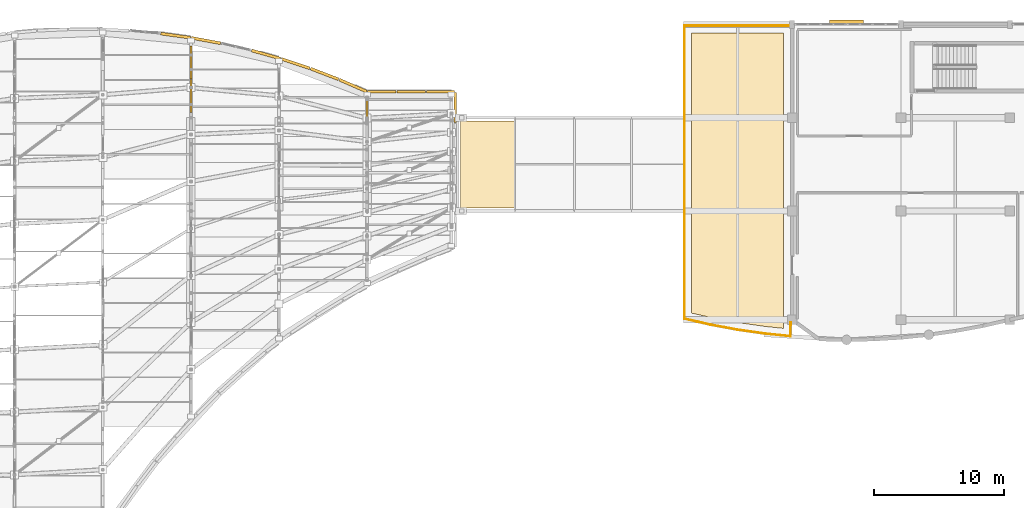
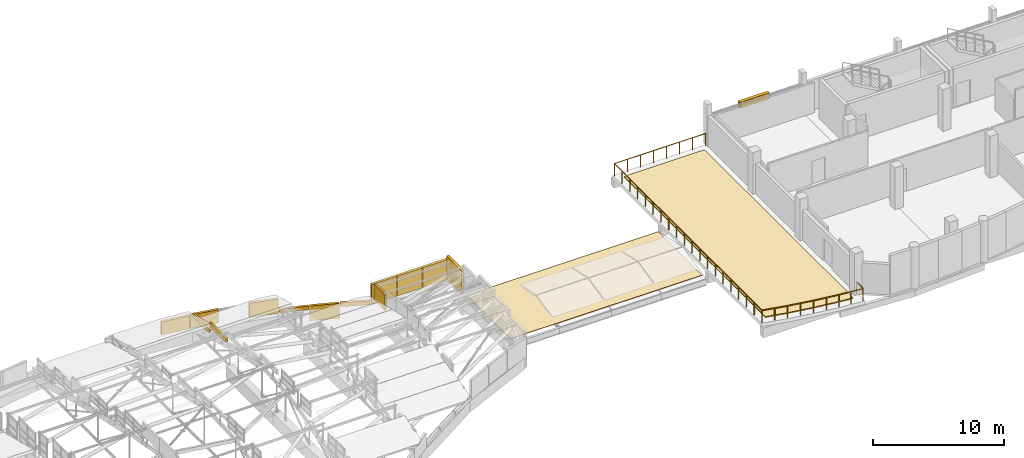
# One storey, part 184 of 188: 15 coverings, 2 railings, 1 shading device.
"""IFC4 building model written with IfcOpenShell, lengths in metres."""

from ifc_helpers import new_model, si_unit, direction, frame, origin, origin_2d, place, context, subcontext, project, spatial, polyline, rectangle, circle, outline, extrude, material, layer, layer_set, type_object, element, save


model = new_model("IFC4")

# Units and contexts
model_context = context("Model", 3, precision=1e-05, world=origin(), true_north=direction((0.0, 1.0)))
body_context = subcontext(model_context, "Body", "Model", "MODEL_VIEW")
ifc_project = project(units=[si_unit("LENGTHUNIT", "METRE"), si_unit("AREAUNIT", "SQUARE_METRE"), si_unit("VOLUMEUNIT", "CUBIC_METRE"), si_unit("PLANEANGLEUNIT", "RADIAN"), si_unit("MASSUNIT", "GRAM", prefix="KILO")], contexts=[model_context])

# Site, building, storey
site_placement = place(None, origin())
site = spatial("IfcSite", under=ifc_project, at=site_placement, CompositionType="ELEMENT")
building_placement = place(site_placement, origin())
building = spatial("IfcBuilding", under=site, at=building_placement, Name="Kisaragi Civic Commons", CompositionType="ELEMENT")
storey_placement = place(building_placement, frame((0.0, 0.0, 9.60009765625)))
storey = spatial("IfcBuildingStorey", under=building, at=storey_placement, Name="L02", CompositionType="ELEMENT", Elevation=9.60009765625)

# Coverings
ifc_material_1 = material(Name="Extruded Tokoname terracotta rainscreen tile", Category="masonry")
ifc_layer_1 = layer(ifc_material_1, 0.0400390625, Name="Extruded Tokoname terracotta rainscreen tile", Category="masonry")
ifc_layer_set_1 = layer_set([ifc_layer_1], Name="Extruded Tokoname terracotta rainscreen tile")
covering_type_1 = type_object("IfcCoveringType", Name="CLD-01", PredefinedType="CLADDING", material=ifc_layer_set_1)
covering_1_placement = place(storey_placement, frame((34.0, 113.285888671875, 1.80810546875), z_axis=(0.0, 0.0, 1.0), x_axis=(0.0, 1.0, 0.0)))
element("IfcCovering", 1, at=covering_1_placement, inside=storey, type_object=covering_type_1, Name="V2 L02 wave-step terracotta tympanum cladding 161", PredefinedType="CLADDING", context=body_context, shape_type="SweptSolid", body=[
    extrude(rectangle(XDim=2.544189453125, YDim=0.159912109375, at=origin_2d()), origin(), (0.0, 0.0, 1.0), 0.351806640625),
])
covering_2_placement = place(storey_placement, frame((34.0, 115.854248046875, 1.112548828125), z_axis=(0.0, 0.0, 1.0), x_axis=(0.0, 1.0, 0.0)))
element("IfcCovering", 2, at=covering_2_placement, inside=storey, type_object=covering_type_1, Name="V2 L02 wave-step terracotta tympanum cladding 162", PredefinedType="CLADDING", context=body_context, shape_type="SweptSolid", body=[
    extrude(rectangle(XDim=2.544189453125, YDim=0.159912109375, at=origin_2d()), origin(), (0.0, 0.0, 1.0), 0.36962890625),
])
covering_3_placement = place(storey_placement, frame((47.60009765625, 112.112060546875, 0.51708984375), z_axis=(0.0, 0.0, 1.0), x_axis=(0.0, 1.0, 0.0)))
element("IfcCovering", 3, at=covering_3_placement, inside=storey, type_object=covering_type_1, Name="V2 L02 wave-step terracotta tympanum cladding 170", PredefinedType="CLADDING", context=body_context, shape_type="SweptSolid", body=[
    extrude(rectangle(XDim=1.692138671875, YDim=0.159912109375, at=origin_2d()), origin(), (0.0, 0.0, 1.0), 1.436279296875),
])
covering_4_placement = place(storey_placement, frame((32.814208984375, 117.933837890625, -0.32421875), z_axis=(0.0, 0.0, 1.0), x_axis=(0.990605176244, -0.136753006543, 0.0)))
element("IfcCovering", 4, at=covering_4_placement, inside=storey, type_object=covering_type_1, Name="V2 L02 curved terracotta gable cladding 193", PredefinedType="CLADDING", context=body_context, shape_type="SweptSolid", body=[
    extrude(rectangle(XDim=2.29931640625, YDim=0.219970703125, at=origin_2d()), origin(), (0.0, 0.0, 1.0), 1.2216796875),
])
covering_5_placement = place(storey_placement, frame((35.16259765625, 117.5546875, -0.323974609375), z_axis=(0.0, 0.0, 1.0), x_axis=(0.983286698687, -0.182063912362, 0.0)))
element("IfcCovering", 5, at=covering_5_placement, inside=storey, type_object=covering_type_1, Name="V2 L02 curved terracotta gable cladding 194", PredefinedType="CLADDING", context=body_context, shape_type="SweptSolid", body=[
    extrude(rectangle(XDim=2.29931640625, YDim=0.219970703125, at=origin_2d()), origin(), (0.0, 0.0, 1.0), 1.236328125),
])
covering_6_placement = place(storey_placement, frame((39.794677734375, 116.475830078125, -0.32421875), z_axis=(0.0, 0.0, 1.0), x_axis=(0.962549928407, -0.271104473079, 0.0)))
element("IfcCovering", 6, at=covering_6_placement, inside=storey, type_object=covering_type_1, Name="V2 L02 curved terracotta gable cladding 195", PredefinedType="CLADDING", context=body_context, shape_type="SweptSolid", body=[
    extrude(rectangle(XDim=2.29931640625, YDim=0.219970703125, at=origin_2d()), origin(), (0.0, 0.0, 1.0), 1.31640625),
])
covering_7_placement = place(storey_placement, frame((42.06884765625, 115.77880859375, -0.32421875), z_axis=(0.0, 0.0, 1.0), x_axis=(0.949151106053, -0.314820866332, 0.0)))
element("IfcCovering", 7, at=covering_7_placement, inside=storey, type_object=covering_type_1, Name="V2 L02 curved terracotta gable cladding 196", PredefinedType="CLADDING", context=body_context, shape_type="SweptSolid", body=[
    extrude(rectangle(XDim=2.29931640625, YDim=0.219970703125, at=origin_2d()), origin(), (0.0, 0.0, 1.0), 0.321044921875),
])
covering_8_placement = place(storey_placement, frame((44.308837890625, 114.978271484375, -1.399169921875), z_axis=(0.0, 0.0, 1.0), x_axis=(0.933705463631, -0.358042046673, 0.0)))
element("IfcCovering", 8, at=covering_8_placement, inside=storey, type_object=covering_type_1, Name="V2 L02 curved terracotta gable cladding 197", PredefinedType="CLADDING", context=body_context, shape_type="SweptSolid", body=[
    extrude(rectangle(XDim=2.29931640625, YDim=0.219970703125, at=origin_2d()), origin(), (0.0, 0.0, 1.0), 1.39599609375),
])
covering_9_placement = place(storey_placement, frame((46.509765625, 114.076171875, -0.32421875), z_axis=(0.0, 0.0, 1.0), x_axis=(0.916362729562, -0.400349032557, 0.0)))
element("IfcCovering", 9, at=covering_9_placement, inside=storey, type_object=covering_type_1, Name="V2 L02 curved terracotta gable cladding 198", PredefinedType="CLADDING", context=body_context, shape_type="SweptSolid", body=[
    extrude(rectangle(XDim=2.29931640625, YDim=0.219970703125, at=origin_2d()), origin(), (0.0, 0.0, 1.0), 0.349853515625),
])
covering_10_placement = place(storey_placement, frame((48.7333984375, 113.60009765625, -0.32421875), z_axis=(0.0, 0.0, 1.0), x_axis=(1.0, 0.0, 0.0)))
element("IfcCovering", 10, at=covering_10_placement, inside=storey, type_object=covering_type_1, Name="V2 L02 curved terracotta gable cladding 199", PredefinedType="CLADDING", context=body_context, shape_type="SweptSolid", body=[
    extrude(rectangle(XDim=2.186767578125, YDim=0.219970703125, at=origin_2d()), origin(), (0.0, 0.0, 1.0), 1.85888671875),
])
covering_11_placement = place(storey_placement, frame((51.0, 113.60009765625, -0.32421875), z_axis=(0.0, 0.0, 1.0), x_axis=(1.0, 0.0, 0.0)))
element("IfcCovering", 11, at=covering_11_placement, inside=storey, type_object=covering_type_1, Name="V2 L02 curved terracotta gable cladding 200", PredefinedType="CLADDING", context=body_context, shape_type="SweptSolid", body=[
    extrude(rectangle(XDim=2.1865234375, YDim=0.219970703125, at=origin_2d()), origin(), (0.0, 0.0, 1.0), 1.85888671875),
])
covering_12_placement = place(storey_placement, frame((53.2666015625, 113.60009765625, -0.32421875), z_axis=(0.0, 0.0, 1.0), x_axis=(1.0, 0.0, 0.0)))
element("IfcCovering", 12, at=covering_12_placement, inside=storey, type_object=covering_type_1, Name="V2 L02 curved terracotta gable cladding 201", PredefinedType="CLADDING", context=body_context, shape_type="SweptSolid", body=[
    extrude(rectangle(XDim=2.186767578125, YDim=0.219970703125, at=origin_2d()), origin(), (0.0, 0.0, 1.0), 1.85888671875),
])
covering_13_placement = place(storey_placement, frame((54.39990234375, 112.39990234375, -0.32421875), z_axis=(0.0, 0.0, 1.0), x_axis=(0.0, -1.0, 0.0)))
element("IfcCovering", 13, at=covering_13_placement, inside=storey, type_object=covering_type_1, Name="V2 L02 curved terracotta gable cladding 202", PredefinedType="CLADDING", context=body_context, shape_type="SweptSolid", body=[
    extrude(rectangle(XDim=2.320068359375, YDim=0.219970703125, at=origin_2d()), origin(), (0.0, 0.0, 1.0), 2.191650390625),
])

# Railings
ifc_material_2 = material(Name="Hot-dip galvanized and fluoropolymer-coated steel", Category="steel")
railing_type = type_object("IfcRailingType", Name="GRD-E1", PredefinedType="GUARDRAIL", material=ifc_material_2)
railing_1_placement = place(storey_placement, frame((72.10009765625, 96.07958984375, 0.0)))
element("IfcRailing", 14, at=railing_1_placement, inside=storey, type_object=railing_type, Name="V4 L02 terrace guardrail 8", PredefinedType="GUARDRAIL", context=body_context, shape_type="SweptSolid", body=[
    extrude(circle(Radius=0.02392578125, at=origin_2d()), frame((0.0, 0.0, 1.1259765625), z_axis=(0.0, 1.0, 0.0), x_axis=(-1.0, 0.0, 0.0)), (0.0, 0.0, 1.0), 22.620361328125),
    extrude(circle(Radius=0.02392578125, at=origin_2d()), frame((0.0, 22.620361328125, 1.1259765625), z_axis=(1.0, 0.0, 0.0), x_axis=(0.0, 1.0, 0.0)), (0.0, 0.0, 1.0), 8.079833984375),
    extrude(circle(Radius=0.02099609375, at=origin_2d()), origin(), (0.0, 0.0, 1.0), 1.101806640625),
    extrude(circle(Radius=0.02099609375, at=origin_2d()), frame((0.0, 1.1904296875, 0.0)), (0.0, 0.0, 1.0), 1.101806640625),
    extrude(circle(Radius=0.02099609375, at=origin_2d()), frame((0.0, 2.381103515625, 0.0)), (0.0, 0.0, 1.0), 1.101806640625),
    extrude(circle(Radius=0.02099609375, at=origin_2d()), frame((0.0, 3.571533203125, 0.0)), (0.0, 0.0, 1.0), 1.101806640625),
    extrude(circle(Radius=0.02099609375, at=origin_2d()), frame((0.0, 4.76220703125, 0.0)), (0.0, 0.0, 1.0), 1.101806640625),
    extrude(circle(Radius=0.02099609375, at=origin_2d()), frame((0.0, 5.95263671875, 0.0)), (0.0, 0.0, 1.0), 1.101806640625),
    extrude(circle(Radius=0.02099609375, at=origin_2d()), frame((0.0, 7.143310546875, 0.0)), (0.0, 0.0, 1.0), 1.101806640625),
    extrude(circle(Radius=0.02099609375, at=origin_2d()), frame((0.0, 8.333740234375, 0.0)), (0.0, 0.0, 1.0), 1.101806640625),
    extrude(circle(Radius=0.02099609375, at=origin_2d()), frame((0.0, 9.5244140625, 0.0)), (0.0, 0.0, 1.0), 1.101806640625),
    extrude(circle(Radius=0.02099609375, at=origin_2d()), frame((0.0, 10.71484375, 0.0)), (0.0, 0.0, 1.0), 1.101806640625),
    extrude(circle(Radius=0.02099609375, at=origin_2d()), frame((0.0, 11.905517578125, 0.0)), (0.0, 0.0, 1.0), 1.101806640625),
    extrude(circle(Radius=0.02099609375, at=origin_2d()), frame((0.0, 13.095947265625, 0.0)), (0.0, 0.0, 1.0), 1.101806640625),
    extrude(circle(Radius=0.02099609375, at=origin_2d()), frame((0.0, 14.28662109375, 0.0)), (0.0, 0.0, 1.0), 1.101806640625),
    extrude(circle(Radius=0.02099609375, at=origin_2d()), frame((0.0, 15.47705078125, 0.0)), (0.0, 0.0, 1.0), 1.101806640625),
    extrude(circle(Radius=0.02099609375, at=origin_2d()), frame((0.0, 16.667724609375, 0.0)), (0.0, 0.0, 1.0), 1.101806640625),
    extrude(circle(Radius=0.02099609375, at=origin_2d()), frame((0.0, 17.858154296875, 0.0)), (0.0, 0.0, 1.0), 1.101806640625),
    extrude(circle(Radius=0.02099609375, at=origin_2d()), frame((0.0, 19.048828125, 0.0)), (0.0, 0.0, 1.0), 1.101806640625),
    extrude(circle(Radius=0.02099609375, at=origin_2d()), frame((0.0, 20.2392578125, 0.0)), (0.0, 0.0, 1.0), 1.101806640625),
    extrude(circle(Radius=0.02099609375, at=origin_2d()), frame((0.0, 21.429931640625, 0.0)), (0.0, 0.0, 1.0), 1.101806640625),
    extrude(circle(Radius=0.02099609375, at=origin_2d()), frame((0.0, 22.620361328125, 0.0)), (0.0, 0.0, 1.0), 1.101806640625),
    extrude(circle(Radius=0.02099609375, at=origin_2d()), frame((1.154296875, 22.620361328125, 0.0)), (0.0, 0.0, 1.0), 1.101806640625),
    extrude(circle(Radius=0.02099609375, at=origin_2d()), frame((2.30859375, 22.620361328125, 0.0)), (0.0, 0.0, 1.0), 1.101806640625),
    extrude(circle(Radius=0.02099609375, at=origin_2d()), frame((3.462890625, 22.620361328125, 0.0)), (0.0, 0.0, 1.0), 1.101806640625),
    extrude(circle(Radius=0.02099609375, at=origin_2d()), frame((4.616943359375, 22.620361328125, 0.0)), (0.0, 0.0, 1.0), 1.101806640625),
    extrude(circle(Radius=0.02099609375, at=origin_2d()), frame((5.771240234375, 22.620361328125, 0.0)), (0.0, 0.0, 1.0), 1.101806640625),
    extrude(circle(Radius=0.02099609375, at=origin_2d()), frame((6.925537109375, 22.620361328125, 0.0)), (0.0, 0.0, 1.0), 1.101806640625),
    extrude(circle(Radius=0.02099609375, at=origin_2d()), frame((8.079833984375, 22.620361328125, 0.0)), (0.0, 0.0, 1.0), 1.101806640625),
])
railing_2_placement = place(storey_placement, frame((80.294677734375, 95.8046875, 0.0)))
element("IfcRailing", 15, at=railing_2_placement, inside=storey, type_object=railing_type, Name="V4 L02 terrace guardrail 9", PredefinedType="GUARDRAIL", context=body_context, shape_type="SweptSolid", body=[
    extrude(circle(Radius=0.02392578125, at=origin_2d()), frame((0.0, 0.0, 1.1259765625), z_axis=(-0.027349546681, -0.999625931184, 0.0), x_axis=(0.999625931184, -0.027349546681, 0.0)), (0.0, 0.0, 1.0), 1.0712890625),
    extrude(circle(Radius=0.02392578125, at=origin_2d()), frame((-0.029296875, -1.07080078125, 1.1259765625), z_axis=(-0.994812353058, 0.101726998397, 0.0), x_axis=(-0.101726998397, -0.994812353058, 0.0)), (0.0, 0.0, 1.0), 2.01123046875),
    extrude(circle(Radius=0.02392578125, at=origin_2d()), frame((-2.030029296875, -0.8662109375, 1.1259765625), z_axis=(-0.989822239462, 0.142309290865, 0.0), x_axis=(-0.142309290865, -0.989822239462, 0.0)), (0.0, 0.0, 1.0), 2.116943359375),
    extrude(circle(Radius=0.02392578125, at=origin_2d()), frame((-4.12548828125, -0.56494140625, 1.1259765625), z_axis=(-0.98321002825, 0.182477506416, 0.0), x_axis=(-0.182477506416, -0.98321002825, 0.0)), (0.0, 0.0, 1.0), 2.11669921875),
    extrude(circle(Radius=0.02392578125, at=origin_2d()), frame((-6.20654296875, -0.1787109375, 1.1259765625), z_axis=(-0.974943146534, 0.222454177362, 0.0), x_axis=(-0.222454177362, -0.974943146534, 0.0)), (0.0, 0.0, 1.0), 2.0390625),
    extrude(circle(Radius=0.02099609375, at=origin_2d()), origin(), (0.0, 0.0, 1.0), 1.101806640625),
    extrude(circle(Radius=0.02099609375, at=origin_2d()), frame((-0.029296875, -1.07080078125, 0.0)), (0.0, 0.0, 1.0), 1.101806640625),
    extrude(circle(Radius=0.02099609375, at=origin_2d()), frame((-1.02978515625, -0.968505859375, 0.0)), (0.0, 0.0, 1.0), 1.101806640625),
    extrude(circle(Radius=0.02099609375, at=origin_2d()), frame((-2.030029296875, -0.8662109375, 0.0)), (0.0, 0.0, 1.0), 1.101806640625),
    extrude(circle(Radius=0.02099609375, at=origin_2d()), frame((-3.07763671875, -0.715576171875, 0.0)), (0.0, 0.0, 1.0), 1.101806640625),
    extrude(circle(Radius=0.02099609375, at=origin_2d()), frame((-4.12548828125, -0.56494140625, 0.0)), (0.0, 0.0, 1.0), 1.101806640625),
    extrude(circle(Radius=0.02099609375, at=origin_2d()), frame((-5.166015625, -0.371826171875, 0.0)), (0.0, 0.0, 1.0), 1.101806640625),
    extrude(circle(Radius=0.02099609375, at=origin_2d()), frame((-6.20654296875, -0.1787109375, 0.0)), (0.0, 0.0, 1.0), 1.101806640625),
    extrude(circle(Radius=0.02099609375, at=origin_2d()), frame((-7.20068359375, 0.048095703125, 0.0)), (0.0, 0.0, 1.0), 1.101806640625),
    extrude(circle(Radius=0.02099609375, at=origin_2d()), frame((-8.194580078125, 0.27490234375, 0.0)), (0.0, 0.0, 1.0), 1.101806640625),
])

# Coverings
ifc_material_3 = material(Name="Patinated copper-zinc standing-seam roofing")
ifc_layer_2 = layer(ifc_material_3, 0.044921875, Name="Patinated copper-zinc standing-seam roofing")
ifc_layer_set_2 = layer_set([ifc_layer_2], Name="Patinated copper-zinc standing-seam roofing")
covering_type_2 = type_object("IfcCoveringType", Name="RFG-01", PredefinedType="ROOFING", material=ifc_layer_set_2)
covering_14_placement = place(storey_placement, frame((0.0, 0.0, -0.7001953125)))
element("IfcCovering", 16, at=covering_14_placement, inside=storey, type_object=covering_type_2, Name="BR-V4-V2 roof standing-seam covering", PredefinedType="ROOFING", context=body_context, shape_type="SweptSolid", body=[
    extrude(outline(polyline([(54.800048828125, 104.64990234375), (71.75, 104.64990234375), (71.75, 111.35009765625), (54.800048828125, 111.35009765625), (54.800048828125, 104.64990234375)])), origin(), (0.0, 0.0, 1.0), 0.045166015625),
])
ifc_material_4 = material(Name="Extensive sedum planted roof assembly")
ifc_layer_3 = layer(ifc_material_4, 0.0849609375, Name="Extensive sedum planted roof assembly")
ifc_layer_set_3 = layer_set([ifc_layer_3], Name="Extensive sedum planted roof assembly")
covering_type_3 = type_object("IfcCoveringType", Name="RFG-02", PredefinedType="ROOFING", material=ifc_layer_set_3)
covering_15_placement = place(storey_placement, origin())
element("IfcCovering", 17, at=covering_15_placement, inside=storey, type_object=covering_type_3, Name="V4 L02 planted terrace sedum covering", PredefinedType="ROOFING", context=body_context, shape_type="SweptSolid", body=[
    extrude(outline(polyline([(72.64990234375, 96.518310546875), (72.64990234375, 118.14990234375), (79.75, 118.14990234375), (79.75, 96.0087890625), (79.731689453125, 95.34130859375), (78.331787109375, 95.484619140625), (76.2587890625, 95.782470703125), (74.199462890625, 96.164794921875), (72.64990234375, 96.518310546875)])), origin(), (0.0, 0.0, 1.0), 0.0849609375),
])

# Shading device
ifc_material_5 = material(Name="Extruded Tokoname terracotta sun-louvre blade", Category="masonry")
ifc_layer_4 = layer(ifc_material_5, 0.550048828125, Name="Extruded Tokoname terracotta sun-louvre blade", Category="masonry")
ifc_layer_set_4 = layer_set([ifc_layer_4], Name="Extruded Tokoname terracotta sun-louvre blade")
shading_device_type = type_object("IfcShadingDeviceType", Name="SHD-02", PredefinedType="JALOUSIE", material=ifc_layer_set_4)
shading_device_placement = place(storey_placement, frame((84.60009765625, 118.989990234375, 2.27978515625), z_axis=(0.0, 0.0, 1.0), x_axis=(1.0, 0.0, 0.0)))
element("IfcShadingDevice", 18, at=shading_device_placement, inside=storey, type_object=shading_device_type, Name="V4 L02 terracotta sun-louvre 12", PredefinedType="JALOUSIE", context=body_context, shape_type="SweptSolid", body=[
    extrude(rectangle(XDim=2.60009765625, YDim=0.300048828125, at=origin_2d()), origin(), (0.0, 0.0, 1.0), 0.550048828125),
])

save(model, "model.ifc")
